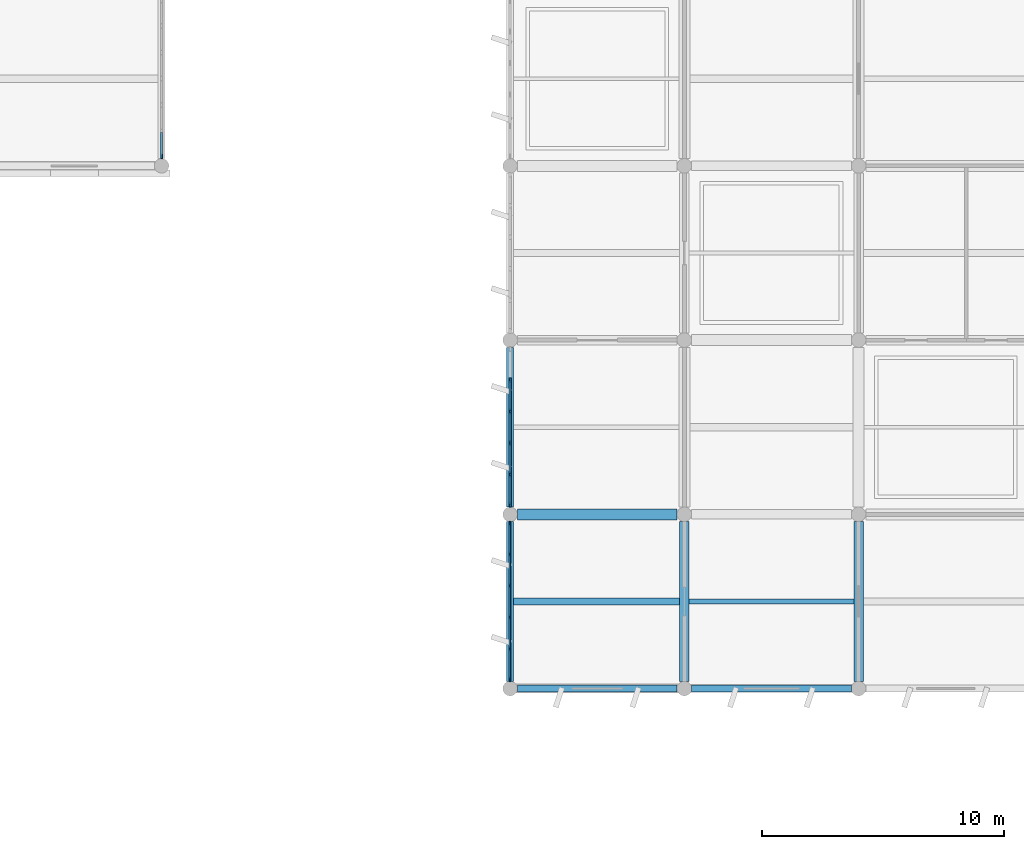
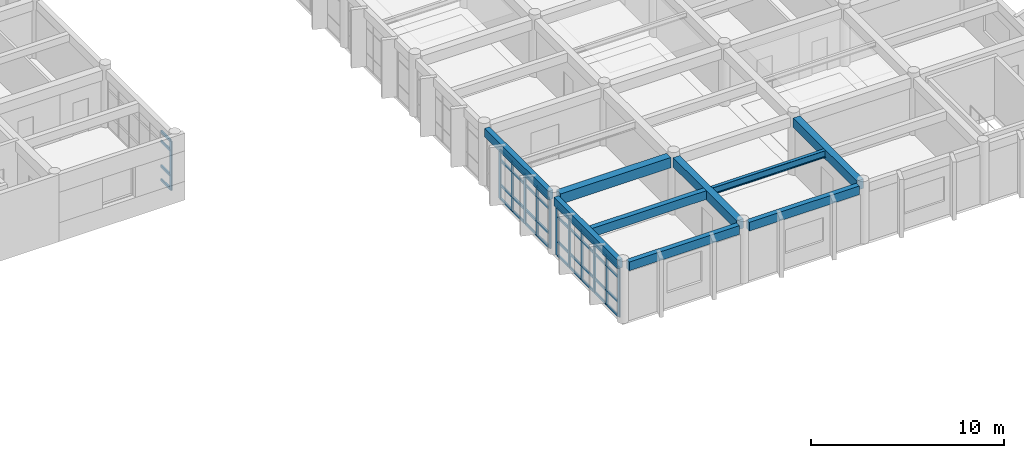
# One storey, part 2 of 16: 53 members, 8 beams, 3 elements without a shape of their own.
"""IFC4 building model written with IfcOpenShell, lengths in metres."""

from ifc_helpers import new_model, si_unit, direction, frame, origin, origin_2d, place, context, subcontext, project, spatial, rectangle, i_section, extrude, material, layer, layer_set, material_profile, profile_set, type_object, element, aggregate, save


model = new_model("IFC4")

# Units and contexts
model_context = context("Model", 3, precision=1e-05, world=origin(), true_north=direction((0.0, 1.0)))
body_context = subcontext(model_context, "Body", "Model", "MODEL_VIEW")
ifc_project = project(units=[si_unit("LENGTHUNIT", "METRE"), si_unit("AREAUNIT", "SQUARE_METRE"), si_unit("VOLUMEUNIT", "CUBIC_METRE"), si_unit("PLANEANGLEUNIT", "RADIAN"), si_unit("MASSUNIT", "GRAM", prefix="KILO")], contexts=[model_context])

# Site, building, storey
site_placement = place(None, origin())
site = spatial("IfcSite", under=ifc_project, at=site_placement, CompositionType="ELEMENT")
building_placement = place(site_placement, origin())
building = spatial("IfcBuilding", under=site, at=building_placement, Name="Kavelor Marine Aquarium", CompositionType="ELEMENT")
storey_placement = place(building_placement, frame((0.0, 0.0, 21.60009765625)))
storey = spatial("IfcBuildingStorey", under=building, at=storey_placement, Name="L05", CompositionType="ELEMENT", Elevation=21.60009765625)

# Beams
ifc_material_1 = material(Name="Concrete C40/50", Category="concrete")
ifc_material_profile_1 = material_profile(ifc_material_1, rectangle(XDim=0.449951171875, YDim=0.64990234375, at=origin_2d()), Name="RC-BM 450x650")
ifc_profile_set_1 = profile_set([ifc_material_profile_1], Name="Concrete C40/50")
beam_type_1 = type_object("IfcBeamType", Name="BM-B3", PredefinedType="BEAM", material=ifc_profile_set_1)
beam_1_placement = place(storey_placement, frame((118.699951171875, 74.800048828125, 3.35498046875), z_axis=(1.0, 0.0, 0.0), x_axis=(0.0, 1.0, 0.0)))
element("IfcBeam", 1, at=beam_1_placement, inside=storey, type_object=beam_type_1, Name="bm:x:L05:RF:16_10", PredefinedType="BEAM", context=body_context, shape_type="SweptSolid", body=[
    extrude(rectangle(XDim=0.449951171875, YDim=0.64990234375, at=origin_2d()), origin(), (0.0, 0.0, 1.0), 6.60009765625),
])
ifc_material_2 = material(Name="Concrete C40/50", Category="concrete")
ifc_material_profile_2 = material_profile(ifc_material_2, rectangle(XDim=0.39990234375, YDim=0.60009765625, at=origin_2d()), Name="RC-BM 400x600")
ifc_profile_set_2 = profile_set([ifc_material_profile_2], Name="Concrete C40/50")
beam_type_2 = type_object("IfcBeamType", Name="BM-B4", PredefinedType="BEAM", material=ifc_profile_set_2)
for number, where, z_axis, x_axis, name in (
    (2, (125.60009765625, 67.89990234375, 3.3798828125), (0.0, 1.0, 0.0), (-1.0, 0.0, 0.0), "bm:y:L05:RF:17_09"),
    (3, (132.800048828125, 67.89990234375, 3.3798828125), (0.0, 1.0, 0.0), (-1.0, 0.0, 0.0), "bm:y:L05:RF:18_09"),
):
    element("IfcBeam", number, at=place(storey_placement, frame(where, z_axis=z_axis, x_axis=x_axis)), inside=storey, type_object=beam_type_2, Name=name, PredefinedType="BEAM", context=body_context, shape_type="SweptSolid", body=[
        extrude(rectangle(XDim=0.39990234375, YDim=0.60009765625, at=origin_2d()), origin(), (0.0, 0.0, 1.0), 6.60009765625),
    ])
ifc_material_3 = material(Name="Concrete C40/50", Category="concrete")
ifc_material_profile_3 = material_profile(ifc_material_3, rectangle(XDim=0.300048828125, YDim=0.550048828125, at=origin_2d()), Name="RC-JS 300x550")
ifc_profile_set_3 = profile_set([ifc_material_profile_3], Name="Concrete C40/50")
beam_type_3 = type_object("IfcBeamType", Name="BM-JS2", PredefinedType="JOIST", material=ifc_profile_set_3)
beam_2_placement = place(storey_placement, frame((118.550048828125, 71.199951171875, 3.40478515625), z_axis=(1.0, 0.0, 0.0), x_axis=(0.0, 1.0, 0.0)))
element("IfcBeam", 4, at=beam_2_placement, inside=storey, type_object=beam_type_3, Name="js:L05:RF:16_09", PredefinedType="JOIST", context=body_context, shape_type="SweptSolid", body=[
    extrude(rectangle(XDim=0.300048828125, YDim=0.550048828125, at=origin_2d()), origin(), (0.0, 0.0, 1.0), 6.849853515625),
])
ifc_material_4 = material(Name="Concrete C40/50", Category="concrete")
ifc_material_profile_4 = material_profile(ifc_material_4, rectangle(XDim=0.300048828125, YDim=0.550048828125, at=origin_2d()), Name="RC-SP 300x550")
ifc_profile_set_4 = profile_set([ifc_material_profile_4], Name="Concrete C40/50")
beam_type_4 = type_object("IfcBeamType", Name="BM-SP2", PredefinedType="SPANDREL", material=ifc_profile_set_4)
for number, where, z_axis, x_axis, name in (
    (5, (118.699951171875, 67.60009765625, 3.40478515625), (1.0, 0.0, 0.0), (0.0, 1.0, 0.0), "bm:x:L05:RF:16_09"),
    (6, (125.89990234375, 67.60009765625, 3.40478515625), (1.0, 0.0, 0.0), (0.0, 1.0, 0.0), "bm:x:L05:RF:17_09"),
    (7, (118.39990234375, 67.89990234375, 3.40478515625), (0.0, 1.0, 0.0), (-1.0, 0.0, 0.0), "bm:y:L05:RF:16_09"),
):
    element("IfcBeam", number, at=place(storey_placement, frame(where, z_axis=z_axis, x_axis=x_axis)), inside=storey, type_object=beam_type_4, Name=name, PredefinedType="SPANDREL", context=body_context, shape_type="SweptSolid", body=[
        extrude(rectangle(XDim=0.300048828125, YDim=0.550048828125, at=origin_2d()), origin(), (0.0, 0.0, 1.0), 6.60009765625),
    ])
beam_3_placement = place(storey_placement, frame((118.39990234375, 75.10009765625, 3.40478515625), z_axis=(0.0, 1.0, 0.0), x_axis=(-1.0, 0.0, 0.0)))
element("IfcBeam", 8, at=beam_3_placement, inside=storey, type_object=beam_type_4, Name="bm:y:L05:RF:16_10", PredefinedType="SPANDREL", context=body_context, shape_type="SweptSolid", body=[
    extrude(rectangle(XDim=0.300048828125, YDim=0.550048828125, at=origin_2d()), origin(), (0.0, 0.0, 1.0), 6.599853515625),
])

# Curtain wall, members
ifc_material_5 = material(Name="Thermally Broken Aluminium and Low-E Glass", Category="aluminium")
ifc_layer_1 = layer(ifc_material_5, 0.196044921875)
ifc_layer_set_1 = layer_set([ifc_layer_1], Name="CW-SYS7")
curtain_wall_type_1 = type_object("IfcCurtainWallType", Name="CW-SYS7", PredefinedType="USERDEFINED", material=ifc_layer_set_1)
curtain_wall_1_placement = place(storey_placement, origin())
curtain_wall_1 = element("IfcCurtainWall", 9, at=curtain_wall_1_placement, inside=storey, type_object=curtain_wall_type_1, Name="cw:y:L05:16_09", ObjectType="Curtain Wall", PredefinedType="USERDEFINED")
ifc_material_6 = material(Name="Anodised Aluminium Alloy 6063-T6", Category="aluminium")
ifc_material_profile_5 = material_profile(ifc_material_6, rectangle(XDim=0.074951171875, YDim=0.179931640625, at=origin_2d()), Name="CW-MUL 75x180")
ifc_profile_set_5 = profile_set([ifc_material_profile_5], Name="Anodised Aluminium Alloy 6063-T6")
member_type_1 = type_object("IfcMemberType", Name="CWM-1", PredefinedType="MULLION", material=ifc_profile_set_5)
member_1_placement = place(storey_placement, frame((118.39990234375, 74.41748046875, 0.0), z_axis=(0.0, 0.0, 1.0), x_axis=(1.0, 0.0, 0.0)))
member_1 = element("IfcMember", 10, at=member_1_placement, type_object=member_type_1, Name="CW07 mullion 1", PredefinedType="MULLION", context=body_context, shape_type="SweptSolid", body=[
    extrude(rectangle(XDim=0.074951171875, YDim=0.179931640625, at=origin_2d()), origin(), (0.0, 0.0, 1.0), 3.119873046875),
])
member_2_placement = place(storey_placement, frame((118.39990234375, 73.153076171875, 0.0), z_axis=(0.0, 0.0, 1.0), x_axis=(1.0, 0.0, 0.0)))
member_2 = element("IfcMember", 11, at=member_2_placement, type_object=member_type_1, Name="CW07 mullion 2", PredefinedType="MULLION", context=body_context, shape_type="SweptSolid", body=[
    extrude(rectangle(XDim=0.074951171875, YDim=0.179931640625, at=origin_2d()), origin(), (0.0, 0.0, 1.0), 3.119873046875),
])
member_3_placement = place(storey_placement, frame((118.39990234375, 71.85107421875, 0.0), z_axis=(0.0, 0.0, 1.0), x_axis=(1.0, 0.0, 0.0)))
member_3 = element("IfcMember", 12, at=member_3_placement, type_object=member_type_1, Name="CW07 mullion 3", PredefinedType="MULLION", context=body_context, shape_type="SweptSolid", body=[
    extrude(rectangle(XDim=0.074951171875, YDim=0.179931640625, at=origin_2d()), origin(), (0.0, 0.0, 1.0), 3.119873046875),
])
member_4_placement = place(storey_placement, frame((118.39990234375, 70.549072265625, 0.0), z_axis=(0.0, 0.0, 1.0), x_axis=(1.0, 0.0, 0.0)))
member_4 = element("IfcMember", 13, at=member_4_placement, type_object=member_type_1, Name="CW07 mullion 4", PredefinedType="MULLION", context=body_context, shape_type="SweptSolid", body=[
    extrude(rectangle(XDim=0.074951171875, YDim=0.179931640625, at=origin_2d()), origin(), (0.0, 0.0, 1.0), 3.119873046875),
])
member_5_placement = place(storey_placement, frame((118.39990234375, 69.2470703125, 0.0), z_axis=(0.0, 0.0, 1.0), x_axis=(1.0, 0.0, 0.0)))
member_5 = element("IfcMember", 14, at=member_5_placement, type_object=member_type_1, Name="CW07 mullion 5", PredefinedType="MULLION", context=body_context, shape_type="SweptSolid", body=[
    extrude(rectangle(XDim=0.074951171875, YDim=0.179931640625, at=origin_2d()), origin(), (0.0, 0.0, 1.0), 3.119873046875),
])
member_6_placement = place(storey_placement, frame((118.39990234375, 67.982421875, 0.0), z_axis=(0.0, 0.0, 1.0), x_axis=(1.0, 0.0, 0.0)))
member_6 = element("IfcMember", 15, at=member_6_placement, type_object=member_type_1, Name="CW07 mullion 6", PredefinedType="MULLION", context=body_context, shape_type="SweptSolid", body=[
    extrude(rectangle(XDim=0.074951171875, YDim=0.179931640625, at=origin_2d()), origin(), (0.0, 0.0, 1.0), 3.119873046875),
])

# Curtain wall, member
ifc_material_7 = material(Name="Thermally Broken Aluminium and Low-E Glass", Category="aluminium")
ifc_layer_2 = layer(ifc_material_7, 0.179931640625)
ifc_layer_set_2 = layer_set([ifc_layer_2], Name="CW-SYS5")
curtain_wall_type_2 = type_object("IfcCurtainWallType", Name="CW-SYS5", PredefinedType="USERDEFINED", material=ifc_layer_set_2)
curtain_wall_2_placement = place(storey_placement, origin())
curtain_wall_2 = element("IfcCurtainWall", 16, at=curtain_wall_2_placement, inside=storey, type_object=curtain_wall_type_2, Name="cw:y:L05:14_12", ObjectType="Curtain Wall", PredefinedType="USERDEFINED")
ifc_material_8 = material(Name="Anodised Aluminium Alloy 6063-T6", Category="aluminium")
ifc_material_profile_6 = material_profile(ifc_material_8, rectangle(XDim=0.080078125, YDim=0.18505859375, at=origin_2d()), Name="CW-MUL 80x185")
ifc_profile_set_6 = profile_set([ifc_material_profile_6], Name="Anodised Aluminium Alloy 6063-T6")
member_type_2 = type_object("IfcMemberType", Name="CWM-2", PredefinedType="MULLION", material=ifc_profile_set_6)
member_7_placement = place(storey_placement, frame((104.0, 89.577392578125, 0.0), z_axis=(0.0, 0.0, 1.0), x_axis=(-1.0, 0.0, 0.0)))
member_7 = element("IfcMember", 17, at=member_7_placement, type_object=member_type_2, Name="CW05 mullion 1", PredefinedType="MULLION", context=body_context, shape_type="SweptSolid", body=[
    extrude(rectangle(XDim=0.080078125, YDim=0.18505859375, at=origin_2d()), origin(), (0.0, 0.0, 1.0), 3.119873046875),
])

# Curtain wall, members
ifc_material_9 = material(Name="Thermally Broken Aluminium and Low-E Glass", Category="aluminium")
ifc_layer_3 = layer(ifc_material_9, 0.2041015625)
ifc_layer_set_3 = layer_set([ifc_layer_3], Name="CW-SYS8")
curtain_wall_type_3 = type_object("IfcCurtainWallType", Name="CW-SYS8", PredefinedType="USERDEFINED", material=ifc_layer_set_3)
curtain_wall_3_placement = place(storey_placement, origin())
curtain_wall_3 = element("IfcCurtainWall", 18, at=curtain_wall_3_placement, inside=storey, type_object=curtain_wall_type_3, Name="cw:y:L05:16_10", ObjectType="Curtain Wall", PredefinedType="USERDEFINED")
member_8_placement = place(storey_placement, frame((118.39990234375, 80.35302734375, 0.0), z_axis=(0.0, 0.0, 1.0), x_axis=(1.0, 0.0, 0.0)))
member_8 = element("IfcMember", 19, at=member_8_placement, type_object=member_type_2, Name="CW08 mullion 2", PredefinedType="MULLION", context=body_context, shape_type="SweptSolid", body=[
    extrude(rectangle(XDim=0.080078125, YDim=0.18505859375, at=origin_2d()), origin(), (0.0, 0.0, 1.0), 3.119873046875),
])
member_9_placement = place(storey_placement, frame((118.39990234375, 79.051025390625, 0.0), z_axis=(0.0, 0.0, 1.0), x_axis=(1.0, 0.0, 0.0)))
member_9 = element("IfcMember", 20, at=member_9_placement, type_object=member_type_2, Name="CW08 mullion 3", PredefinedType="MULLION", context=body_context, shape_type="SweptSolid", body=[
    extrude(rectangle(XDim=0.080078125, YDim=0.18505859375, at=origin_2d()), origin(), (0.0, 0.0, 1.0), 3.119873046875),
])
member_10_placement = place(storey_placement, frame((118.39990234375, 77.7490234375, 0.0), z_axis=(0.0, 0.0, 1.0), x_axis=(1.0, 0.0, 0.0)))
member_10 = element("IfcMember", 21, at=member_10_placement, type_object=member_type_2, Name="CW08 mullion 4", PredefinedType="MULLION", context=body_context, shape_type="SweptSolid", body=[
    extrude(rectangle(XDim=0.080078125, YDim=0.18505859375, at=origin_2d()), origin(), (0.0, 0.0, 1.0), 3.119873046875),
])
member_11_placement = place(storey_placement, frame((118.39990234375, 76.447021484375, 0.0), z_axis=(0.0, 0.0, 1.0), x_axis=(1.0, 0.0, 0.0)))
member_11 = element("IfcMember", 22, at=member_11_placement, type_object=member_type_2, Name="CW08 mullion 5", PredefinedType="MULLION", context=body_context, shape_type="SweptSolid", body=[
    extrude(rectangle(XDim=0.080078125, YDim=0.18505859375, at=origin_2d()), origin(), (0.0, 0.0, 1.0), 3.119873046875),
])
member_12_placement = place(storey_placement, frame((118.39990234375, 75.177490234375, 0.0), z_axis=(0.0, 0.0, 1.0), x_axis=(1.0, 0.0, 0.0)))
member_12 = element("IfcMember", 23, at=member_12_placement, type_object=member_type_2, Name="CW08 mullion 6", PredefinedType="MULLION", context=body_context, shape_type="SweptSolid", body=[
    extrude(rectangle(XDim=0.080078125, YDim=0.18505859375, at=origin_2d()), origin(), (0.0, 0.0, 1.0), 3.119873046875),
])

# Member
ifc_material_10 = material(Name="Anodised Aluminium Alloy 6063-T6", Category="aluminium")
ifc_material_profile_7 = material_profile(ifc_material_10, rectangle(XDim=0.074951171875, YDim=0.14990234375, at=origin_2d()), Name="CW-TRN 75x150")
ifc_profile_set_7 = profile_set([ifc_material_profile_7], Name="Anodised Aluminium Alloy 6063-T6")
member_type_3 = type_object("IfcMemberType", Name="CWT-1", PredefinedType="USERDEFINED", material=ifc_profile_set_7)
member_13_placement = place(storey_placement, frame((118.39990234375, 74.3798828125, 0.037353515625), z_axis=(0.0, -1.0, 0.0), x_axis=(1.0, 0.0, 0.0)))
member_13 = element("IfcMember", 24, at=member_13_placement, type_object=member_type_3, Name="CW07 transom 1.1", ObjectType="TRANSOM", PredefinedType="USERDEFINED", context=body_context, shape_type="SweptSolid", body=[
    extrude(rectangle(XDim=0.074951171875, YDim=0.14990234375, at=origin_2d()), origin(), (0.0, 0.0, 1.0), 1.189453125),
])

member_14_placement = place(storey_placement, frame((118.39990234375, 74.3798828125, 0.89990234375), z_axis=(0.0, -1.0, 0.0), x_axis=(1.0, 0.0, 0.0)))
member_14 = element("IfcMember", 25, at=member_14_placement, type_object=member_type_3, Name="CW07 transom 1.2", ObjectType="TRANSOM", PredefinedType="USERDEFINED", context=body_context, shape_type="SweptSolid", body=[
    extrude(rectangle(XDim=0.074951171875, YDim=0.14990234375, at=origin_2d()), origin(), (0.0, 0.0, 1.0), 1.189453125),
])

member_15_placement = place(storey_placement, frame((118.39990234375, 74.3798828125, 2.469970703125), z_axis=(0.0, -1.0, 0.0), x_axis=(1.0, 0.0, 0.0)))
member_15 = element("IfcMember", 26, at=member_15_placement, type_object=member_type_3, Name="CW07 transom 1.3", ObjectType="TRANSOM", PredefinedType="USERDEFINED", context=body_context, shape_type="SweptSolid", body=[
    extrude(rectangle(XDim=0.074951171875, YDim=0.14990234375, at=origin_2d()), origin(), (0.0, 0.0, 1.0), 1.189453125),
])

member_16_placement = place(storey_placement, frame((118.39990234375, 74.3798828125, 3.08251953125), z_axis=(0.0, -1.0, 0.0), x_axis=(1.0, 0.0, 0.0)))
member_16 = element("IfcMember", 27, at=member_16_placement, type_object=member_type_3, Name="CW07 transom 1.4", ObjectType="TRANSOM", PredefinedType="USERDEFINED", context=body_context, shape_type="SweptSolid", body=[
    extrude(rectangle(XDim=0.074951171875, YDim=0.14990234375, at=origin_2d()), origin(), (0.0, 0.0, 1.0), 1.189453125),
])

member_17_placement = place(storey_placement, frame((118.39990234375, 73.115478515625, 0.037353515625), z_axis=(0.0, -1.0, 0.0), x_axis=(1.0, 0.0, 0.0)))
member_17 = element("IfcMember", 28, at=member_17_placement, type_object=member_type_3, Name="CW07 transom 2.1", ObjectType="TRANSOM", PredefinedType="USERDEFINED", context=body_context, shape_type="SweptSolid", body=[
    extrude(rectangle(XDim=0.074951171875, YDim=0.14990234375, at=origin_2d()), origin(), (0.0, 0.0, 1.0), 1.22705078125),
])

member_18_placement = place(storey_placement, frame((118.39990234375, 73.115478515625, 0.89990234375), z_axis=(0.0, -1.0, 0.0), x_axis=(1.0, 0.0, 0.0)))
member_18 = element("IfcMember", 29, at=member_18_placement, type_object=member_type_3, Name="CW07 transom 2.2", ObjectType="TRANSOM", PredefinedType="USERDEFINED", context=body_context, shape_type="SweptSolid", body=[
    extrude(rectangle(XDim=0.074951171875, YDim=0.14990234375, at=origin_2d()), origin(), (0.0, 0.0, 1.0), 1.22705078125),
])

member_19_placement = place(storey_placement, frame((118.39990234375, 73.115478515625, 2.469970703125), z_axis=(0.0, -1.0, 0.0), x_axis=(1.0, 0.0, 0.0)))
member_19 = element("IfcMember", 30, at=member_19_placement, type_object=member_type_3, Name="CW07 transom 2.3", ObjectType="TRANSOM", PredefinedType="USERDEFINED", context=body_context, shape_type="SweptSolid", body=[
    extrude(rectangle(XDim=0.074951171875, YDim=0.14990234375, at=origin_2d()), origin(), (0.0, 0.0, 1.0), 1.22705078125),
])

member_20_placement = place(storey_placement, frame((118.39990234375, 73.115478515625, 3.08251953125), z_axis=(0.0, -1.0, 0.0), x_axis=(1.0, 0.0, 0.0)))
member_20 = element("IfcMember", 31, at=member_20_placement, type_object=member_type_3, Name="CW07 transom 2.4", ObjectType="TRANSOM", PredefinedType="USERDEFINED", context=body_context, shape_type="SweptSolid", body=[
    extrude(rectangle(XDim=0.074951171875, YDim=0.14990234375, at=origin_2d()), origin(), (0.0, 0.0, 1.0), 1.22705078125),
])

member_21_placement = place(storey_placement, frame((118.39990234375, 71.8134765625, 0.037353515625), z_axis=(0.0, -1.0, 0.0), x_axis=(1.0, 0.0, 0.0)))
member_21 = element("IfcMember", 32, at=member_21_placement, type_object=member_type_3, Name="CW07 transom 3.1", ObjectType="TRANSOM", PredefinedType="USERDEFINED", context=body_context, shape_type="SweptSolid", body=[
    extrude(rectangle(XDim=0.074951171875, YDim=0.14990234375, at=origin_2d()), origin(), (0.0, 0.0, 1.0), 1.22705078125),
])

member_22_placement = place(storey_placement, frame((118.39990234375, 71.8134765625, 0.89990234375), z_axis=(0.0, -1.0, 0.0), x_axis=(1.0, 0.0, 0.0)))
member_22 = element("IfcMember", 33, at=member_22_placement, type_object=member_type_3, Name="CW07 transom 3.2", ObjectType="TRANSOM", PredefinedType="USERDEFINED", context=body_context, shape_type="SweptSolid", body=[
    extrude(rectangle(XDim=0.074951171875, YDim=0.14990234375, at=origin_2d()), origin(), (0.0, 0.0, 1.0), 1.22705078125),
])

member_23_placement = place(storey_placement, frame((118.39990234375, 71.8134765625, 2.469970703125), z_axis=(0.0, -1.0, 0.0), x_axis=(1.0, 0.0, 0.0)))
member_23 = element("IfcMember", 34, at=member_23_placement, type_object=member_type_3, Name="CW07 transom 3.3", ObjectType="TRANSOM", PredefinedType="USERDEFINED", context=body_context, shape_type="SweptSolid", body=[
    extrude(rectangle(XDim=0.074951171875, YDim=0.14990234375, at=origin_2d()), origin(), (0.0, 0.0, 1.0), 1.22705078125),
])

member_24_placement = place(storey_placement, frame((118.39990234375, 71.8134765625, 3.08251953125), z_axis=(0.0, -1.0, 0.0), x_axis=(1.0, 0.0, 0.0)))
member_24 = element("IfcMember", 35, at=member_24_placement, type_object=member_type_3, Name="CW07 transom 3.4", ObjectType="TRANSOM", PredefinedType="USERDEFINED", context=body_context, shape_type="SweptSolid", body=[
    extrude(rectangle(XDim=0.074951171875, YDim=0.14990234375, at=origin_2d()), origin(), (0.0, 0.0, 1.0), 1.22705078125),
])

member_25_placement = place(storey_placement, frame((118.39990234375, 70.511474609375, 0.037353515625), z_axis=(0.0, -1.0, 0.0), x_axis=(1.0, 0.0, 0.0)))
member_25 = element("IfcMember", 36, at=member_25_placement, type_object=member_type_3, Name="CW07 transom 4.1", ObjectType="TRANSOM", PredefinedType="USERDEFINED", context=body_context, shape_type="SweptSolid", body=[
    extrude(rectangle(XDim=0.074951171875, YDim=0.14990234375, at=origin_2d()), origin(), (0.0, 0.0, 1.0), 1.22705078125),
])

member_26_placement = place(storey_placement, frame((118.39990234375, 70.511474609375, 0.89990234375), z_axis=(0.0, -1.0, 0.0), x_axis=(1.0, 0.0, 0.0)))
member_26 = element("IfcMember", 37, at=member_26_placement, type_object=member_type_3, Name="CW07 transom 4.2", ObjectType="TRANSOM", PredefinedType="USERDEFINED", context=body_context, shape_type="SweptSolid", body=[
    extrude(rectangle(XDim=0.074951171875, YDim=0.14990234375, at=origin_2d()), origin(), (0.0, 0.0, 1.0), 1.22705078125),
])

member_27_placement = place(storey_placement, frame((118.39990234375, 70.511474609375, 2.469970703125), z_axis=(0.0, -1.0, 0.0), x_axis=(1.0, 0.0, 0.0)))
member_27 = element("IfcMember", 38, at=member_27_placement, type_object=member_type_3, Name="CW07 transom 4.3", ObjectType="TRANSOM", PredefinedType="USERDEFINED", context=body_context, shape_type="SweptSolid", body=[
    extrude(rectangle(XDim=0.074951171875, YDim=0.14990234375, at=origin_2d()), origin(), (0.0, 0.0, 1.0), 1.22705078125),
])

member_28_placement = place(storey_placement, frame((118.39990234375, 70.511474609375, 3.08251953125), z_axis=(0.0, -1.0, 0.0), x_axis=(1.0, 0.0, 0.0)))
member_28 = element("IfcMember", 39, at=member_28_placement, type_object=member_type_3, Name="CW07 transom 4.4", ObjectType="TRANSOM", PredefinedType="USERDEFINED", context=body_context, shape_type="SweptSolid", body=[
    extrude(rectangle(XDim=0.074951171875, YDim=0.14990234375, at=origin_2d()), origin(), (0.0, 0.0, 1.0), 1.22705078125),
])

member_29_placement = place(storey_placement, frame((118.39990234375, 69.20947265625, 0.037353515625), z_axis=(0.0, -1.0, 0.0), x_axis=(1.0, 0.0, 0.0)))
member_29 = element("IfcMember", 40, at=member_29_placement, type_object=member_type_3, Name="CW07 transom 5.1", ObjectType="TRANSOM", PredefinedType="USERDEFINED", context=body_context, shape_type="SweptSolid", body=[
    extrude(rectangle(XDim=0.074951171875, YDim=0.14990234375, at=origin_2d()), origin(), (0.0, 0.0, 1.0), 1.189453125),
])

member_30_placement = place(storey_placement, frame((118.39990234375, 69.20947265625, 0.89990234375), z_axis=(0.0, -1.0, 0.0), x_axis=(1.0, 0.0, 0.0)))
member_30 = element("IfcMember", 41, at=member_30_placement, type_object=member_type_3, Name="CW07 transom 5.2", ObjectType="TRANSOM", PredefinedType="USERDEFINED", context=body_context, shape_type="SweptSolid", body=[
    extrude(rectangle(XDim=0.074951171875, YDim=0.14990234375, at=origin_2d()), origin(), (0.0, 0.0, 1.0), 1.189453125),
])

member_31_placement = place(storey_placement, frame((118.39990234375, 69.20947265625, 2.469970703125), z_axis=(0.0, -1.0, 0.0), x_axis=(1.0, 0.0, 0.0)))
member_31 = element("IfcMember", 42, at=member_31_placement, type_object=member_type_3, Name="CW07 transom 5.3", ObjectType="TRANSOM", PredefinedType="USERDEFINED", context=body_context, shape_type="SweptSolid", body=[
    extrude(rectangle(XDim=0.074951171875, YDim=0.14990234375, at=origin_2d()), origin(), (0.0, 0.0, 1.0), 1.189453125),
])

member_32_placement = place(storey_placement, frame((118.39990234375, 69.20947265625, 3.08251953125), z_axis=(0.0, -1.0, 0.0), x_axis=(1.0, 0.0, 0.0)))
member_32 = element("IfcMember", 43, at=member_32_placement, type_object=member_type_3, Name="CW07 transom 5.4", ObjectType="TRANSOM", PredefinedType="USERDEFINED", context=body_context, shape_type="SweptSolid", body=[
    extrude(rectangle(XDim=0.074951171875, YDim=0.14990234375, at=origin_2d()), origin(), (0.0, 0.0, 1.0), 1.189453125),
])

aggregate(curtain_wall_1, [member_1, member_2, member_3, member_4, member_5, member_6, member_13, member_14, member_15, member_16, member_17, member_18, member_19, member_20, member_21, member_22, member_23, member_24, member_25, member_26, member_27, member_28, member_29, member_30, member_31, member_32])

ifc_material_11 = material(Name="Anodised Aluminium Alloy 6063-T6", Category="aluminium")
ifc_material_profile_8 = material_profile(ifc_material_11, rectangle(XDim=0.080078125, YDim=0.155029296875, at=origin_2d()), Name="CW-TRN 80x155")
ifc_profile_set_8 = profile_set([ifc_material_profile_8], Name="Anodised Aluminium Alloy 6063-T6")
member_type_4 = type_object("IfcMemberType", Name="CWT-2", PredefinedType="USERDEFINED", material=ifc_profile_set_8)
member_33_placement = place(storey_placement, frame((118.39990234375, 80.320556640625, 0.032470703125), z_axis=(0.0, -1.0, 0.0), x_axis=(1.0, 0.0, 0.0)))
member_33 = element("IfcMember", 44, at=member_33_placement, type_object=member_type_4, Name="CW08 transom 2.1", ObjectType="TRANSOM", PredefinedType="USERDEFINED", context=body_context, shape_type="SweptSolid", body=[
    extrude(rectangle(XDim=0.080078125, YDim=0.155029296875, at=origin_2d()), origin(), (0.0, 0.0, 1.0), 1.237060546875),
])

member_34_placement = place(storey_placement, frame((118.39990234375, 80.320556640625, 0.89990234375), z_axis=(0.0, -1.0, 0.0), x_axis=(1.0, 0.0, 0.0)))
member_34 = element("IfcMember", 45, at=member_34_placement, type_object=member_type_4, Name="CW08 transom 2.2", ObjectType="TRANSOM", PredefinedType="USERDEFINED", context=body_context, shape_type="SweptSolid", body=[
    extrude(rectangle(XDim=0.080078125, YDim=0.155029296875, at=origin_2d()), origin(), (0.0, 0.0, 1.0), 1.237060546875),
])

member_35_placement = place(storey_placement, frame((118.39990234375, 80.320556640625, 2.469970703125), z_axis=(0.0, -1.0, 0.0), x_axis=(1.0, 0.0, 0.0)))
member_35 = element("IfcMember", 46, at=member_35_placement, type_object=member_type_4, Name="CW08 transom 2.3", ObjectType="TRANSOM", PredefinedType="USERDEFINED", context=body_context, shape_type="SweptSolid", body=[
    extrude(rectangle(XDim=0.080078125, YDim=0.155029296875, at=origin_2d()), origin(), (0.0, 0.0, 1.0), 1.237060546875),
])

member_36_placement = place(storey_placement, frame((118.39990234375, 80.320556640625, 3.08740234375), z_axis=(0.0, -1.0, 0.0), x_axis=(1.0, 0.0, 0.0)))
member_36 = element("IfcMember", 47, at=member_36_placement, type_object=member_type_4, Name="CW08 transom 2.4", ObjectType="TRANSOM", PredefinedType="USERDEFINED", context=body_context, shape_type="SweptSolid", body=[
    extrude(rectangle(XDim=0.080078125, YDim=0.155029296875, at=origin_2d()), origin(), (0.0, 0.0, 1.0), 1.237060546875),
])

member_37_placement = place(storey_placement, frame((118.39990234375, 79.0185546875, 0.032470703125), z_axis=(0.0, -1.0, 0.0), x_axis=(1.0, 0.0, 0.0)))
member_37 = element("IfcMember", 48, at=member_37_placement, type_object=member_type_4, Name="CW08 transom 3.1", ObjectType="TRANSOM", PredefinedType="USERDEFINED", context=body_context, shape_type="SweptSolid", body=[
    extrude(rectangle(XDim=0.080078125, YDim=0.155029296875, at=origin_2d()), origin(), (0.0, 0.0, 1.0), 1.237060546875),
])

member_38_placement = place(storey_placement, frame((118.39990234375, 79.0185546875, 0.89990234375), z_axis=(0.0, -1.0, 0.0), x_axis=(1.0, 0.0, 0.0)))
member_38 = element("IfcMember", 49, at=member_38_placement, type_object=member_type_4, Name="CW08 transom 3.2", ObjectType="TRANSOM", PredefinedType="USERDEFINED", context=body_context, shape_type="SweptSolid", body=[
    extrude(rectangle(XDim=0.080078125, YDim=0.155029296875, at=origin_2d()), origin(), (0.0, 0.0, 1.0), 1.237060546875),
])

member_39_placement = place(storey_placement, frame((118.39990234375, 79.0185546875, 2.469970703125), z_axis=(0.0, -1.0, 0.0), x_axis=(1.0, 0.0, 0.0)))
member_39 = element("IfcMember", 50, at=member_39_placement, type_object=member_type_4, Name="CW08 transom 3.3", ObjectType="TRANSOM", PredefinedType="USERDEFINED", context=body_context, shape_type="SweptSolid", body=[
    extrude(rectangle(XDim=0.080078125, YDim=0.155029296875, at=origin_2d()), origin(), (0.0, 0.0, 1.0), 1.237060546875),
])

member_40_placement = place(storey_placement, frame((118.39990234375, 79.0185546875, 3.08740234375), z_axis=(0.0, -1.0, 0.0), x_axis=(1.0, 0.0, 0.0)))
member_40 = element("IfcMember", 51, at=member_40_placement, type_object=member_type_4, Name="CW08 transom 3.4", ObjectType="TRANSOM", PredefinedType="USERDEFINED", context=body_context, shape_type="SweptSolid", body=[
    extrude(rectangle(XDim=0.080078125, YDim=0.155029296875, at=origin_2d()), origin(), (0.0, 0.0, 1.0), 1.237060546875),
])

member_41_placement = place(storey_placement, frame((118.39990234375, 77.716552734375, 0.032470703125), z_axis=(0.0, -1.0, 0.0), x_axis=(1.0, 0.0, 0.0)))
member_41 = element("IfcMember", 52, at=member_41_placement, type_object=member_type_4, Name="CW08 transom 4.1", ObjectType="TRANSOM", PredefinedType="USERDEFINED", context=body_context, shape_type="SweptSolid", body=[
    extrude(rectangle(XDim=0.080078125, YDim=0.155029296875, at=origin_2d()), origin(), (0.0, 0.0, 1.0), 1.237060546875),
])

member_42_placement = place(storey_placement, frame((118.39990234375, 77.716552734375, 0.89990234375), z_axis=(0.0, -1.0, 0.0), x_axis=(1.0, 0.0, 0.0)))
member_42 = element("IfcMember", 53, at=member_42_placement, type_object=member_type_4, Name="CW08 transom 4.2", ObjectType="TRANSOM", PredefinedType="USERDEFINED", context=body_context, shape_type="SweptSolid", body=[
    extrude(rectangle(XDim=0.080078125, YDim=0.155029296875, at=origin_2d()), origin(), (0.0, 0.0, 1.0), 1.237060546875),
])

member_43_placement = place(storey_placement, frame((118.39990234375, 77.716552734375, 2.469970703125), z_axis=(0.0, -1.0, 0.0), x_axis=(1.0, 0.0, 0.0)))
member_43 = element("IfcMember", 54, at=member_43_placement, type_object=member_type_4, Name="CW08 transom 4.3", ObjectType="TRANSOM", PredefinedType="USERDEFINED", context=body_context, shape_type="SweptSolid", body=[
    extrude(rectangle(XDim=0.080078125, YDim=0.155029296875, at=origin_2d()), origin(), (0.0, 0.0, 1.0), 1.237060546875),
])

member_44_placement = place(storey_placement, frame((118.39990234375, 77.716552734375, 3.08740234375), z_axis=(0.0, -1.0, 0.0), x_axis=(1.0, 0.0, 0.0)))
member_44 = element("IfcMember", 55, at=member_44_placement, type_object=member_type_4, Name="CW08 transom 4.4", ObjectType="TRANSOM", PredefinedType="USERDEFINED", context=body_context, shape_type="SweptSolid", body=[
    extrude(rectangle(XDim=0.080078125, YDim=0.155029296875, at=origin_2d()), origin(), (0.0, 0.0, 1.0), 1.237060546875),
])

member_45_placement = place(storey_placement, frame((118.39990234375, 76.41455078125, 0.032470703125), z_axis=(0.0, -1.0, 0.0), x_axis=(1.0, 0.0, 0.0)))
member_45 = element("IfcMember", 56, at=member_45_placement, type_object=member_type_4, Name="CW08 transom 5.1", ObjectType="TRANSOM", PredefinedType="USERDEFINED", context=body_context, shape_type="SweptSolid", body=[
    extrude(rectangle(XDim=0.080078125, YDim=0.155029296875, at=origin_2d()), origin(), (0.0, 0.0, 1.0), 1.20458984375),
])

member_46_placement = place(storey_placement, frame((118.39990234375, 76.41455078125, 0.89990234375), z_axis=(0.0, -1.0, 0.0), x_axis=(1.0, 0.0, 0.0)))
member_46 = element("IfcMember", 57, at=member_46_placement, type_object=member_type_4, Name="CW08 transom 5.2", ObjectType="TRANSOM", PredefinedType="USERDEFINED", context=body_context, shape_type="SweptSolid", body=[
    extrude(rectangle(XDim=0.080078125, YDim=0.155029296875, at=origin_2d()), origin(), (0.0, 0.0, 1.0), 1.20458984375),
])

member_47_placement = place(storey_placement, frame((118.39990234375, 76.41455078125, 2.469970703125), z_axis=(0.0, -1.0, 0.0), x_axis=(1.0, 0.0, 0.0)))
member_47 = element("IfcMember", 58, at=member_47_placement, type_object=member_type_4, Name="CW08 transom 5.3", ObjectType="TRANSOM", PredefinedType="USERDEFINED", context=body_context, shape_type="SweptSolid", body=[
    extrude(rectangle(XDim=0.080078125, YDim=0.155029296875, at=origin_2d()), origin(), (0.0, 0.0, 1.0), 1.20458984375),
])

member_48_placement = place(storey_placement, frame((118.39990234375, 76.41455078125, 3.08740234375), z_axis=(0.0, -1.0, 0.0), x_axis=(1.0, 0.0, 0.0)))
member_48 = element("IfcMember", 59, at=member_48_placement, type_object=member_type_4, Name="CW08 transom 5.4", ObjectType="TRANSOM", PredefinedType="USERDEFINED", context=body_context, shape_type="SweptSolid", body=[
    extrude(rectangle(XDim=0.080078125, YDim=0.155029296875, at=origin_2d()), origin(), (0.0, 0.0, 1.0), 1.20458984375),
])

aggregate(curtain_wall_3, [member_8, member_9, member_10, member_11, member_12, member_33, member_34, member_35, member_36, member_37, member_38, member_39, member_40, member_41, member_42, member_43, member_44, member_45, member_46, member_47, member_48])

ifc_material_12 = material(Name="Anodised Aluminium Alloy 6063-T6", Category="aluminium")
ifc_material_profile_9 = material_profile(ifc_material_12, rectangle(XDim=0.0849609375, YDim=0.159912109375, at=origin_2d()), Name="CW-TRN 85x160")
ifc_profile_set_9 = profile_set([ifc_material_profile_9], Name="Anodised Aluminium Alloy 6063-T6")
member_type_5 = type_object("IfcMemberType", Name="CWT-3", PredefinedType="USERDEFINED", material=ifc_profile_set_9)
member_49_placement = place(storey_placement, frame((104.0, 89.610107421875, 0.02978515625), z_axis=(0.0, 1.0, 0.0), x_axis=(-1.0, 0.0, 0.0)))
member_49 = element("IfcMember", 60, at=member_49_placement, type_object=member_type_5, Name="CW05 transom 1.1", ObjectType="TRANSOM", PredefinedType="USERDEFINED", context=body_context, shape_type="SweptSolid", body=[
    extrude(rectangle(XDim=0.0849609375, YDim=0.159912109375, at=origin_2d()), origin(), (0.0, 0.0, 1.0), 0.9873046875),
])

member_50_placement = place(storey_placement, frame((104.0, 89.610107421875, 0.89990234375), z_axis=(0.0, 1.0, 0.0), x_axis=(-1.0, 0.0, 0.0)))
member_50 = element("IfcMember", 61, at=member_50_placement, type_object=member_type_5, Name="CW05 transom 1.2", ObjectType="TRANSOM", PredefinedType="USERDEFINED", context=body_context, shape_type="SweptSolid", body=[
    extrude(rectangle(XDim=0.0849609375, YDim=0.159912109375, at=origin_2d()), origin(), (0.0, 0.0, 1.0), 0.9873046875),
])

member_51_placement = place(storey_placement, frame((104.0, 89.610107421875, 2.469970703125), z_axis=(0.0, 1.0, 0.0), x_axis=(-1.0, 0.0, 0.0)))
member_51 = element("IfcMember", 62, at=member_51_placement, type_object=member_type_5, Name="CW05 transom 1.3", ObjectType="TRANSOM", PredefinedType="USERDEFINED", context=body_context, shape_type="SweptSolid", body=[
    extrude(rectangle(XDim=0.0849609375, YDim=0.159912109375, at=origin_2d()), origin(), (0.0, 0.0, 1.0), 0.9873046875),
])

member_52_placement = place(storey_placement, frame((104.0, 89.610107421875, 3.08984375), z_axis=(0.0, 1.0, 0.0), x_axis=(-1.0, 0.0, 0.0)))
member_52 = element("IfcMember", 63, at=member_52_placement, type_object=member_type_5, Name="CW05 transom 1.4", ObjectType="TRANSOM", PredefinedType="USERDEFINED", context=body_context, shape_type="SweptSolid", body=[
    extrude(rectangle(XDim=0.0849609375, YDim=0.159912109375, at=origin_2d()), origin(), (0.0, 0.0, 1.0), 0.9873046875),
])

aggregate(curtain_wall_2, [member_7, member_49, member_50, member_51, member_52])

ifc_material_13 = material(Name="Steel S355", Category="steel")
ifc_material_profile_10 = material_profile(ifc_material_13, i_section(OverallWidth=0.18994140625, OverallDepth=0.449951171875, WebThickness=0.009521484375, FlangeThickness=0.0146484375, FilletRadius=0.02099609375, at=origin_2d()), Name="IPE 450")
ifc_profile_set_10 = profile_set([ifc_material_profile_10], Name="Steel S355")
member_type_6 = type_object("IfcMemberType", Name="PR-SJ2", PredefinedType="PURLIN", material=ifc_profile_set_10)
member_53_placement = place(storey_placement, frame((125.800048828125, 71.199951171875, 3.454833984375), z_axis=(1.0, 0.0, 0.0), x_axis=(0.0, 1.0, 0.0)))
element("IfcMember", 64, at=member_53_placement, inside=storey, type_object=member_type_6, Name="js:L05:RF:17_09", PredefinedType="PURLIN", context=body_context, shape_type="SweptSolid", body=[
    extrude(i_section(OverallWidth=0.18994140625, OverallDepth=0.449951171875, WebThickness=0.009521484375, FlangeThickness=0.0146484375, FilletRadius=0.02099609375, at=origin_2d()), origin(), (0.0, 0.0, 1.0), 6.800048828125),
])

save(model, "model.ifc")
